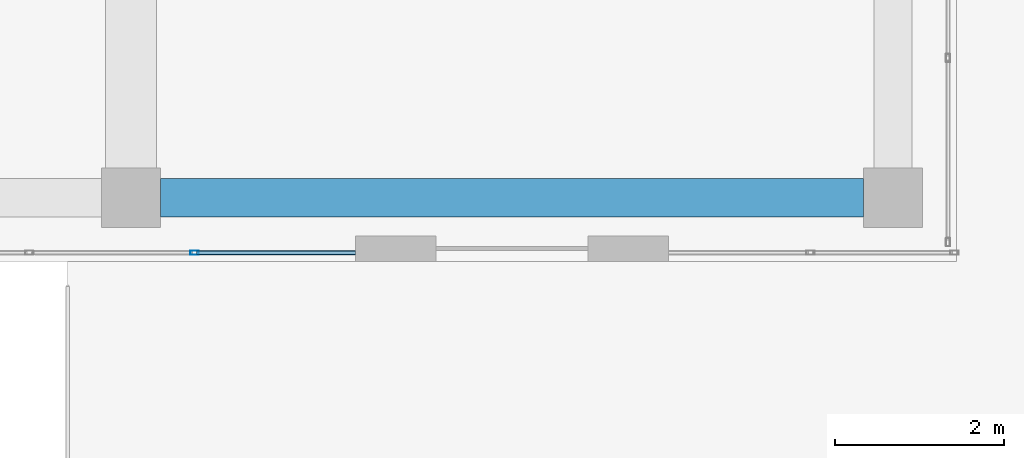
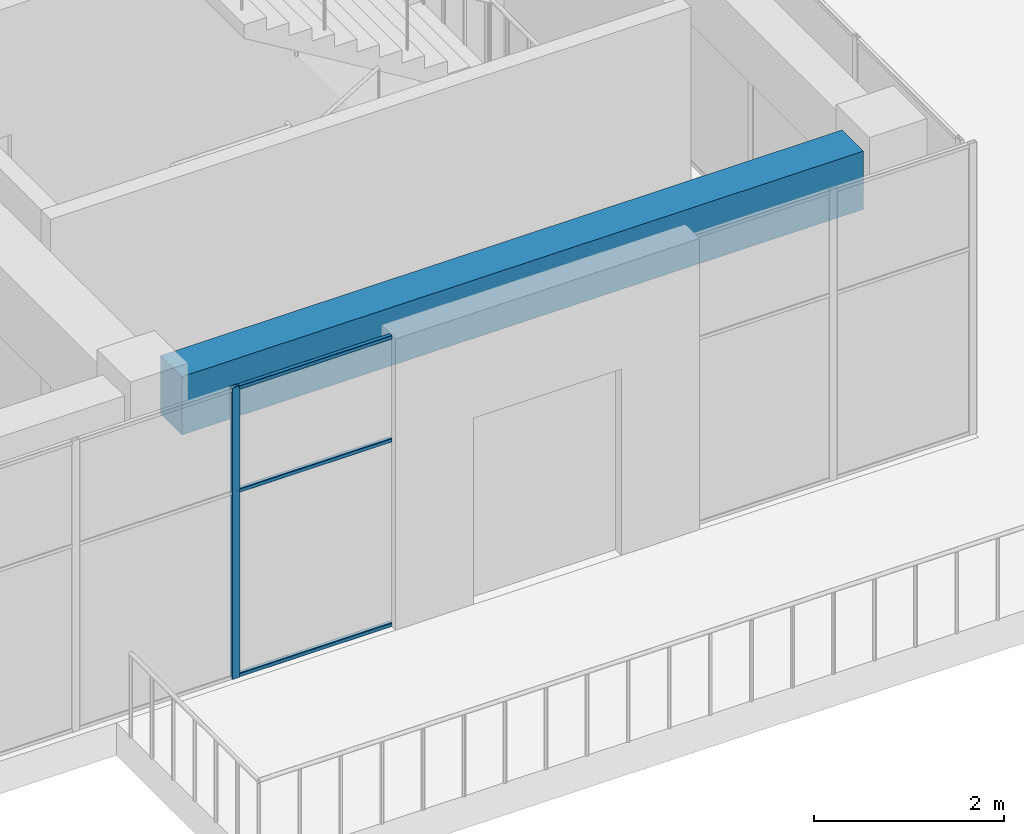
# One storey, part 21 of 49: 4 members, 1 beam, 1 element without a shape of its own.
"""IFC4 building model written with IfcOpenShell, lengths in metres."""

from ifc_helpers import new_model, si_unit, direction, frame, origin, origin_2d, place, context, subcontext, project, spatial, rectangle, hollow_rectangle, extrude, material, layer, layer_set, material_profile, profile_set, type_object, element, aggregate, save


model = new_model("IFC4")

# Units and contexts
model_context = context("Model", 3, precision=1e-05, world=origin(), true_north=direction((0.0, 1.0)))
body_context = subcontext(model_context, "Body", "Model", "MODEL_VIEW")
ifc_project = project(units=[si_unit("LENGTHUNIT", "METRE"), si_unit("AREAUNIT", "SQUARE_METRE"), si_unit("VOLUMEUNIT", "CUBIC_METRE"), si_unit("PLANEANGLEUNIT", "RADIAN"), si_unit("MASSUNIT", "GRAM", prefix="KILO")], contexts=[model_context])

# Site, building, storey
site_placement = place(None, origin())
site = spatial("IfcSite", under=ifc_project, at=site_placement, CompositionType="ELEMENT")
building_placement = place(site_placement, origin())
building = spatial("IfcBuilding", under=site, at=building_placement, Name="Tuart Plaza Theatre", CompositionType="ELEMENT")
storey_placement = place(building_placement, frame((0.0, 0.0, 29.5)))
storey = spatial("IfcBuildingStorey", under=building, at=storey_placement, Name="L07", CompositionType="ELEMENT", Elevation=29.5)

# Beam
ifc_material_1 = material(Name="Concrete N40 (40 MPa)", Category="concrete")
ifc_material_profile_1 = material_profile(ifc_material_1, rectangle(XDim=0.449951171875, YDim=0.75, at=origin_2d()), Name="BEAM 450x750 Concrete N40 (40 MPa)")
ifc_profile_set_1 = profile_set([ifc_material_profile_1], Name="Concrete N40 (40 MPa)")
beam_type = type_object("IfcBeamType", Name="BEAM 450x750 Concrete N40 (40 MPa)", PredefinedType="BEAM", material=ifc_profile_set_1)
beam_placement = place(storey_placement, frame((132.35009765625, 56.0, 3.375), z_axis=(1.0, 0.0, 0.0), x_axis=(0.0, 1.0, 0.0)))
element("IfcBeam", 1, at=beam_placement, inside=storey, type_object=beam_type, Name="RB269", PredefinedType="BEAM", context=body_context, shape_type="SweptSolid", body=[
    extrude(rectangle(XDim=0.449951171875, YDim=0.75, at=origin_2d()), origin(), (0.0, 0.0, 1.0), 8.2998046875),
])

# Curtain wall, members
ifc_material_2 = material(Name="Aluminium and glass", Category="aluminium")
ifc_layer = layer(ifc_material_2, 0.10009765625)
ifc_layer_set = layer_set([ifc_layer], Name="CURTAIN WALL 2000 module")
curtain_wall_type = type_object("IfcCurtainWallType", Name="CURTAIN WALL 2000 module", PredefinedType="NOTDEFINED", material=ifc_layer_set)
curtain_wall_placement = place(storey_placement, origin())
curtain_wall = element("IfcCurtainWall", 2, at=curtain_wall_placement, inside=storey, type_object=curtain_wall_type, Name="CW88", PredefinedType="NOTDEFINED")
ifc_material_3 = material(Name="Aluminium 6063-T5", Category="aluminium")
ifc_material_profile_2 = material_profile(ifc_material_3, hollow_rectangle(XDim=0.050048828125, YDim=0.10009765625, WallThickness=0.00390625, InnerFilletRadius=0.00390625, OuterFilletRadius=0.008056640625, at=origin_2d()), Name="RHS 100x50x4")
ifc_profile_set_2 = profile_set([ifc_material_profile_2], Name="Aluminium 6063-T5")
member_type_1 = type_object("IfcMemberType", Name="MULLION RHS 100x50x4", PredefinedType="MULLION", material=ifc_profile_set_2)
member_1_placement = place(storey_placement, frame((132.75, 55.35009765625, 0.0), z_axis=(0.0, 0.0, 1.0), x_axis=(0.0, 1.0, 0.0)))
member_1 = element("IfcMember", 3, at=member_1_placement, type_object=member_type_1, Name="CW88 mullion 11", PredefinedType="MULLION", context=body_context, shape_type="SweptSolid", body=[
    extrude(hollow_rectangle(XDim=0.050048828125, YDim=0.10009765625, WallThickness=0.00390625, InnerFilletRadius=0.00390625, OuterFilletRadius=0.008056640625, at=origin_2d()), origin(), (0.0, 0.0, 1.0), 3.75),
])
ifc_material_4 = material(Name="Aluminium 6063-T5", Category="aluminium")
ifc_material_profile_3 = material_profile(ifc_material_4, hollow_rectangle(XDim=0.050048828125, YDim=0.050048828125, WallThickness=0.00390625, InnerFilletRadius=0.00390625, OuterFilletRadius=0.008056640625, at=origin_2d()), Name="RHS 50x50x4")
ifc_profile_set_3 = profile_set([ifc_material_profile_3], Name="Aluminium 6063-T5")
member_type_2 = type_object("IfcMemberType", Name="TRANSOM RHS 50x50x4", PredefinedType="USERDEFINED", material=ifc_profile_set_3)
member_2_placement = place(storey_placement, frame((132.77490234375, 55.35009765625, 0.02490234375), z_axis=(1.0, 0.0, 0.0), x_axis=(0.0, 1.0, 0.0)))
member_2 = element("IfcMember", 4, at=member_2_placement, type_object=member_type_2, Name="CW88 transom 11.1", ObjectType="TRANSOM", PredefinedType="USERDEFINED", context=body_context, shape_type="SweptSolid", body=[
    extrude(hollow_rectangle(XDim=0.050048828125, YDim=0.050048828125, WallThickness=0.00390625, InnerFilletRadius=0.00390625, OuterFilletRadius=0.008056640625, at=origin_2d()), origin(), (0.0, 0.0, 1.0), 1.875),
])
member_3_placement = place(storey_placement, frame((132.77490234375, 55.35009765625, 2.39990234375), z_axis=(1.0, 0.0, 0.0), x_axis=(0.0, 1.0, 0.0)))
member_3 = element("IfcMember", 5, at=member_3_placement, type_object=member_type_2, Name="CW88 transom 11.2", ObjectType="TRANSOM", PredefinedType="USERDEFINED", context=body_context, shape_type="SweptSolid", body=[
    extrude(hollow_rectangle(XDim=0.050048828125, YDim=0.050048828125, WallThickness=0.00390625, InnerFilletRadius=0.00390625, OuterFilletRadius=0.008056640625, at=origin_2d()), origin(), (0.0, 0.0, 1.0), 1.875),
])
member_4_placement = place(storey_placement, frame((132.77490234375, 55.35009765625, 3.72509765625), z_axis=(1.0, 0.0, 0.0), x_axis=(0.0, 1.0, 0.0)))
member_4 = element("IfcMember", 6, at=member_4_placement, type_object=member_type_2, Name="CW88 transom 11.3", ObjectType="TRANSOM", PredefinedType="USERDEFINED", context=body_context, shape_type="SweptSolid", body=[
    extrude(hollow_rectangle(XDim=0.050048828125, YDim=0.050048828125, WallThickness=0.00390625, InnerFilletRadius=0.00390625, OuterFilletRadius=0.008056640625, at=origin_2d()), origin(), (0.0, 0.0, 1.0), 1.875),
])
aggregate(curtain_wall, [member_1, member_2, member_3, member_4])

save(model, "model.ifc")
